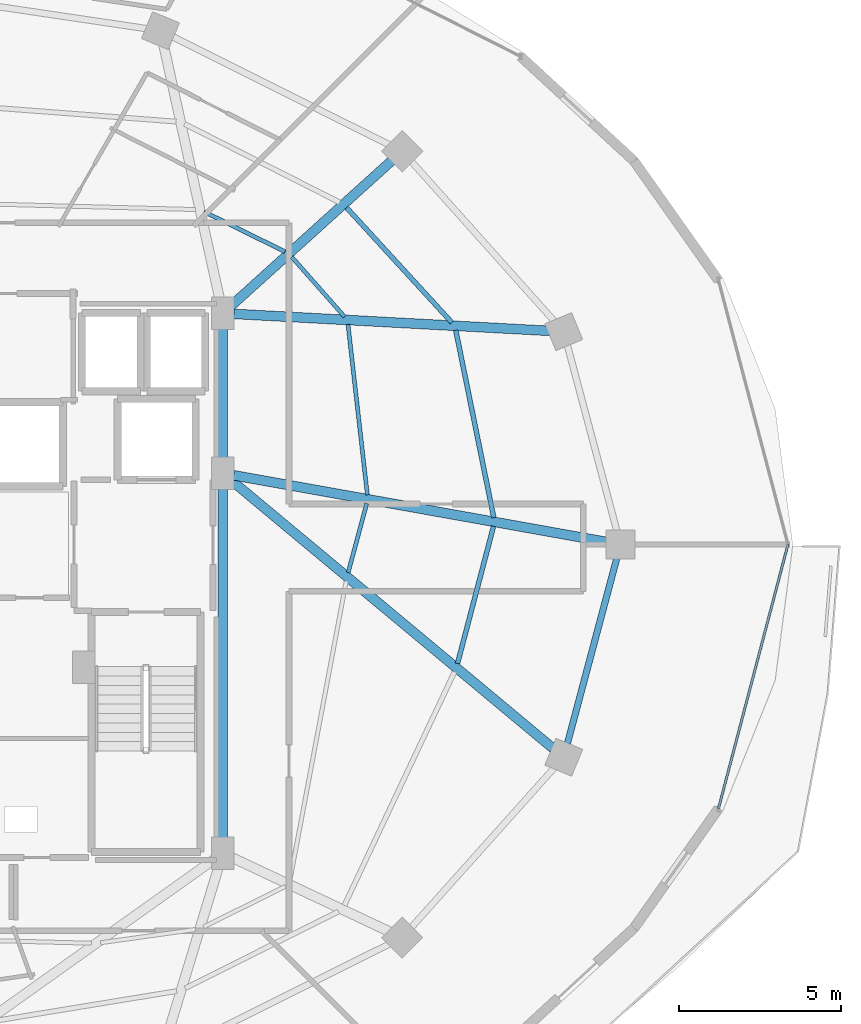
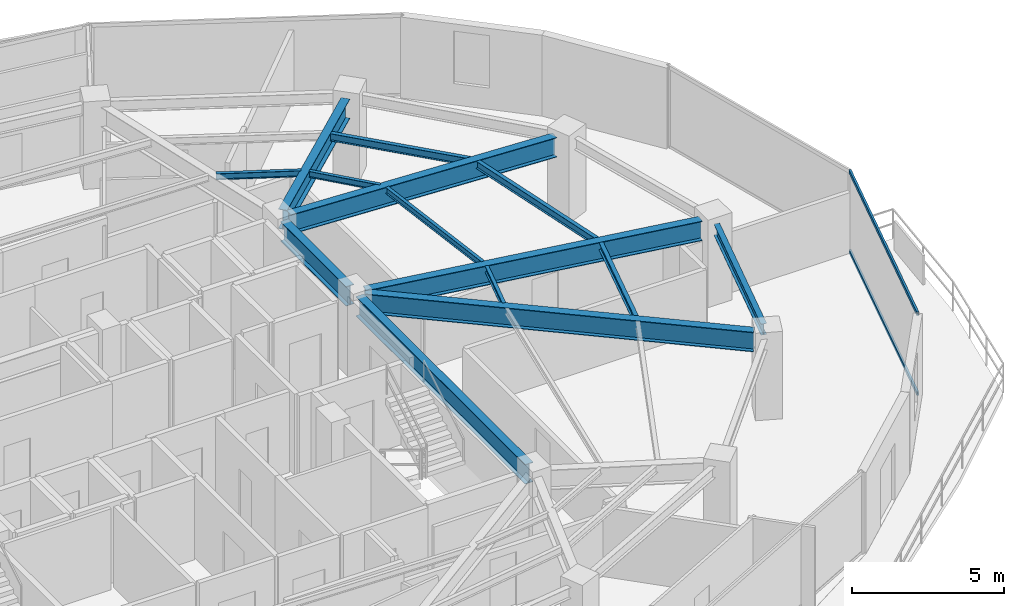
# One storey, part 14 of 33: 14 beams, 2 members, 1 element without a shape of its own.
"""IFC4 building model written with IfcOpenShell, lengths in metres."""

from ifc_helpers import new_model, si_unit, direction, frame, origin, origin_2d, place, context, subcontext, project, spatial, hollow_rectangle, i_section, extrude, material, material_profile, profile_set, type_object, element, aggregate, save


model = new_model("IFC4")

# Units and contexts
model_context = context("Model", 3, precision=1e-05, world=origin(), true_north=direction((0.0, 1.0)))
body_context = subcontext(model_context, "Body", "Model", "MODEL_VIEW")
ifc_project = project(units=[si_unit("LENGTHUNIT", "METRE"), si_unit("AREAUNIT", "SQUARE_METRE"), si_unit("VOLUMEUNIT", "CUBIC_METRE"), si_unit("PLANEANGLEUNIT", "RADIAN"), si_unit("MASSUNIT", "GRAM", prefix="KILO")], contexts=[model_context])

# Site, building, storey
site_placement = place(None, origin())
site = spatial("IfcSite", under=ifc_project, at=site_placement, CompositionType="ELEMENT")
building_placement = place(site_placement, origin())
building = spatial("IfcBuilding", under=site, at=building_placement, Name="Vorneva Point Tower", CompositionType="ELEMENT")
storey_placement = place(building_placement, frame((0.0, 0.0, 196.60009765625)))
storey = spatial("IfcBuildingStorey", under=building, at=storey_placement, Name="L53", CompositionType="ELEMENT", Elevation=196.60009765625)

# Beams
ifc_material_1 = material(Name="Steel S355", Category="steel")
ifc_material_profile_1 = material_profile(ifc_material_1, i_section(OverallWidth=0.300048828125, OverallDepth=0.7880859375, WebThickness=0.014404296875, FlangeThickness=0.02197265625, at=origin_2d()), Name="80Sh1")
ifc_profile_set_1 = profile_set([ifc_material_profile_1], Name="Steel S355")
beam_type_1 = type_object("IfcBeamType", Name="BM-GRD-80Sh1", PredefinedType="USERDEFINED", material=ifc_profile_set_1)
beam_1_placement = place(storey_placement, frame((60.618896484375, 26.0771484375, 2.845947265625), z_axis=(-0.984378602255, 0.176064668298, 0.0), x_axis=(-0.176064668298, -0.984378602255, 0.0)))
element("IfcBeam", 1, at=beam_1_placement, inside=storey, type_object=beam_type_1, Name="L53 Radial Primary Girder 01", ObjectType="GIRDER", PredefinedType="USERDEFINED", context=body_context, shape_type="SweptSolid", body=[
    extrude(i_section(OverallWidth=0.300048828125, OverallDepth=0.7880859375, WebThickness=0.014404296875, FlangeThickness=0.02197265625, at=origin_2d()), origin(), (0.0, 0.0, 1.0), 11.71728515625),
])
beam_2_placement = place(storey_placement, frame((58.85791015625, 32.605712890625, 2.845947265625), z_axis=(-0.998554028182, 0.053757351146, 0.0), x_axis=(-0.053757351146, -0.998554028182, 0.0)))
element("IfcBeam", 2, at=beam_2_placement, inside=storey, type_object=beam_type_1, Name="L53 Radial Primary Girder 02", ObjectType="GIRDER", PredefinedType="USERDEFINED", context=body_context, shape_type="SweptSolid", body=[
    extrude(i_section(OverallWidth=0.300048828125, OverallDepth=0.7880859375, WebThickness=0.014404296875, FlangeThickness=0.02197265625, at=origin_2d()), origin(), (0.0, 0.0, 1.0), 9.782470703125),
])
beam_3_placement = place(storey_placement, frame((53.973876953125, 37.86865234375, 2.845947265625), z_axis=(-0.742089778537, -0.670300500217, 0.0), x_axis=(0.670300500217, -0.742089778537, 0.0)))
element("IfcBeam", 3, at=beam_3_placement, inside=storey, type_object=beam_type_1, Name="L53 Radial Primary Girder 03", ObjectType="GIRDER", PredefinedType="USERDEFINED", context=body_context, shape_type="SweptSolid", body=[
    extrude(i_section(OverallWidth=0.300048828125, OverallDepth=0.7880859375, WebThickness=0.014404296875, FlangeThickness=0.02197265625, at=origin_2d()), origin(), (0.0, 0.0, 1.0), 6.699462890625),
])
beam_4_placement = place(storey_placement, frame((58.958740234375, 19.697998046875, 2.845947265625), z_axis=(-0.768417564517, 0.639948784311, 0.0), x_axis=(-0.639948784311, -0.768417564517, 0.0)))
element("IfcBeam", 4, at=beam_4_placement, inside=storey, type_object=beam_type_1, Name="L53 Radial Primary Girder 16", ObjectType="GIRDER", PredefinedType="USERDEFINED", context=body_context, shape_type="SweptSolid", body=[
    extrude(i_section(OverallWidth=0.300048828125, OverallDepth=0.7880859375, WebThickness=0.014404296875, FlangeThickness=0.02197265625, at=origin_2d()), origin(), (0.0, 0.0, 1.0), 12.945556640625),
])
beam_5_placement = place(storey_placement, frame((48.75, 16.77001953125, 2.845947265625), z_axis=(0.0, 1.0, 0.0), x_axis=(-1.0, 0.0, 0.0)))
element("IfcBeam", 5, at=beam_5_placement, inside=storey, type_object=beam_type_1, Name="L53 Core Tie Girder CT3", ObjectType="GIRDER", PredefinedType="USERDEFINED", context=body_context, shape_type="SweptSolid", body=[
    extrude(i_section(OverallWidth=0.300048828125, OverallDepth=0.7880859375, WebThickness=0.014404296875, FlangeThickness=0.02197265625, at=origin_2d()), origin(), (0.0, 0.0, 1.0), 11.10986328125),
])
beam_6_placement = place(storey_placement, frame((48.75, 28.52001953125, 2.845947265625), z_axis=(0.0, 1.0, 0.0), x_axis=(-1.0, 0.0, 0.0)))
element("IfcBeam", 6, at=beam_6_placement, inside=storey, type_object=beam_type_1, Name="L53 Core Tie Girder CT4", ObjectType="GIRDER", PredefinedType="USERDEFINED", context=body_context, shape_type="SweptSolid", body=[
    extrude(i_section(OverallWidth=0.300048828125, OverallDepth=0.7880859375, WebThickness=0.014404296875, FlangeThickness=0.02197265625, at=origin_2d()), origin(), (0.0, 0.0, 1.0), 4.31005859375),
])
ifc_material_profile_2 = material_profile(ifc_material_1, i_section(OverallWidth=0.1240234375, OverallDepth=0.248046875, WebThickness=0.0048828125, FlangeThickness=0.008056640625, at=origin_2d()), Name="25B1")
ifc_profile_set_2 = profile_set([ifc_material_profile_2], Name="Steel S355")
beam_type_2 = type_object("IfcBeamType", Name="BM-JST-25B1", PredefinedType="JOIST", material=ifc_profile_set_2)
beam_7_placement = place(storey_placement, frame((53.221435546875, 27.534423828125, 3.115966796875), z_axis=(-0.113032571733, 0.993591283037, 0.0), x_axis=(-0.993591283037, -0.113032571733, 0.0)))
element("IfcBeam", 7, at=beam_7_placement, inside=storey, type_object=beam_type_2, Name="L53 Secondary Floor Beam 2.01", PredefinedType="JOIST", context=body_context, shape_type="SweptSolid", body=[
    extrude(i_section(OverallWidth=0.1240234375, OverallDepth=0.248046875, WebThickness=0.0048828125, FlangeThickness=0.008056640625, at=origin_2d()), origin(), (0.0, 0.0, 1.0), 5.3046875),
])
beam_8_placement = place(storey_placement, frame((52.514892578125, 33.045654296875, 3.115966796875), z_axis=(-0.662362143704, 0.749183816288, 0.0), x_axis=(-0.749183816288, -0.662362143704, 0.0)))
element("IfcBeam", 8, at=beam_8_placement, inside=storey, type_object=beam_type_2, Name="L53 Secondary Floor Beam 2.02", PredefinedType="JOIST", context=body_context, shape_type="SweptSolid", body=[
    extrude(i_section(OverallWidth=0.1240234375, OverallDepth=0.248046875, WebThickness=0.0048828125, FlangeThickness=0.008056640625, at=origin_2d()), origin(), (0.0, 0.0, 1.0), 2.46337890625),
])
beam_9_placement = place(storey_placement, frame((50.66845703125, 35.055908203125, 3.115966796875), z_axis=(-0.896290822353, 0.443466753845, 0.0), x_axis=(-0.443466753845, -0.896290822353, 0.0)))
element("IfcBeam", 9, at=beam_9_placement, inside=storey, type_object=beam_type_2, Name="L53 Secondary Floor Beam 2.03", PredefinedType="JOIST", context=body_context, shape_type="SweptSolid", body=[
    extrude(i_section(OverallWidth=0.1240234375, OverallDepth=0.248046875, WebThickness=0.0048828125, FlangeThickness=0.008056640625, at=origin_2d()), origin(), (0.0, 0.0, 1.0), 2.791748046875),
])
beam_10_placement = place(storey_placement, frame((52.628173828125, 25.13330078125, 3.115966796875), z_axis=(0.259679836989, 0.965694766612, 0.0), x_axis=(-0.965694766612, 0.259679836989, 0.0)))
element("IfcBeam", 10, at=beam_10_placement, inside=storey, type_object=beam_type_2, Name="L53 Secondary Floor Beam 2.16", PredefinedType="JOIST", context=body_context, shape_type="SweptSolid", body=[
    extrude(i_section(OverallWidth=0.1240234375, OverallDepth=0.248046875, WebThickness=0.0048828125, FlangeThickness=0.008056640625, at=origin_2d()), origin(), (0.0, 0.0, 1.0), 2.20654296875),
])
ifc_material_profile_3 = material_profile(ifc_material_1, i_section(OverallWidth=0.14892578125, OverallDepth=0.298095703125, WebThickness=0.005615234375, FlangeThickness=0.008056640625, at=origin_2d()), Name="30B1")
ifc_profile_set_3 = profile_set([ifc_material_profile_3], Name="Steel S355")
beam_type_3 = type_object("IfcBeamType", Name="BM-JST-30B1", PredefinedType="JOIST", material=ifc_profile_set_3)
beam_11_placement = place(storey_placement, frame((57.131103515625, 26.831298828125, 3.0908203125), z_axis=(-0.198853680305, 0.980029190294, 0.0), x_axis=(-0.980029190294, -0.198853680305, 0.0)))
element("IfcBeam", 11, at=beam_11_placement, inside=storey, type_object=beam_type_3, Name="L53 Secondary Floor Beam 1.01", PredefinedType="JOIST", context=body_context, shape_type="SweptSolid", body=[
    extrude(i_section(OverallWidth=0.14892578125, OverallDepth=0.298095703125, WebThickness=0.005615234375, FlangeThickness=0.008056640625, at=origin_2d()), origin(), (0.0, 0.0, 1.0), 5.915283203125),
])
beam_12_placement = place(storey_placement, frame((55.834228515625, 32.865234375, 3.0908203125), z_axis=(-0.675759017991, 0.73712261504, 0.0), x_axis=(-0.73712261504, -0.675759017991, 0.0)))
element("IfcBeam", 12, at=beam_12_placement, inside=storey, type_object=beam_type_3, Name="L53 Secondary Floor Beam 1.02", PredefinedType="JOIST", context=body_context, shape_type="SweptSolid", body=[
    extrude(i_section(OverallWidth=0.14892578125, OverallDepth=0.298095703125, WebThickness=0.005615234375, FlangeThickness=0.008056640625, at=origin_2d()), origin(), (0.0, 0.0, 1.0), 4.822021484375),
])
beam_13_placement = place(storey_placement, frame((56.009521484375, 22.31689453125, 3.0908203125), z_axis=(0.253800559938, 0.967256571844, 0.0), x_axis=(-0.967256571844, 0.253800559938, 0.0)))
element("IfcBeam", 13, at=beam_13_placement, inside=storey, type_object=beam_type_3, Name="L53 Secondary Floor Beam 1.16", PredefinedType="JOIST", context=body_context, shape_type="SweptSolid", body=[
    extrude(i_section(OverallWidth=0.14892578125, OverallDepth=0.298095703125, WebThickness=0.005615234375, FlangeThickness=0.008056640625, at=origin_2d()), origin(), (0.0, 0.0, 1.0), 4.389404296875),
])
ifc_material_profile_4 = material_profile(ifc_material_1, i_section(OverallWidth=0.198974609375, OverallDepth=0.446044921875, WebThickness=0.008056640625, FlangeThickness=0.011962890625, at=origin_2d()), Name="45B1")
ifc_profile_set_4 = profile_set([ifc_material_profile_4], Name="Steel S355")
beam_type_4 = type_object("IfcBeamType", Name="BM-SPN-45B1", PredefinedType="SPANDREL", material=ifc_profile_set_4)
beam_14_placement = place(storey_placement, frame((59.407470703125, 19.838134765625, 3.016845703125), z_axis=(0.257578258003, 0.966257440336, 0.0), x_axis=(-0.966257440336, 0.257578258003, 0.0)))
element("IfcBeam", 14, at=beam_14_placement, inside=storey, type_object=beam_type_4, Name="L53 Perimeter Spandrel Ring Beam 16", PredefinedType="SPANDREL", context=body_context, shape_type="SweptSolid", body=[
    extrude(i_section(OverallWidth=0.198974609375, OverallDepth=0.446044921875, WebThickness=0.008056640625, FlangeThickness=0.011962890625, at=origin_2d()), origin(), (0.0, 0.0, 1.0), 5.94189453125),
])

# Curtain wall, members
ifc_material_2 = material(Name="Pale anodised aluminium", Category="aluminium")
curtain_wall_type = type_object("IfcCurtainWallType", Name="CW-RES-SYS", PredefinedType="NOTDEFINED", material=ifc_material_2)
curtain_wall_placement = place(storey_placement, origin())
curtain_wall = element("IfcCurtainWall", 15, at=curtain_wall_placement, inside=storey, type_object=curtain_wall_type, Name="L53 Unitised Curtain Wall CW-L53-R01", PredefinedType="NOTDEFINED")
ifc_material_profile_5 = material_profile(ifc_material_2, hollow_rectangle(XDim=0.074951171875, YDim=0.14990234375, WallThickness=0.00390625, at=origin_2d()), Name="AL-TRN 150x75x4")
ifc_profile_set_5 = profile_set([ifc_material_profile_5], Name="Pale anodised aluminium")
member_type = type_object("IfcMemberType", Name="CW-TRN-150", PredefinedType="USERDEFINED", material=ifc_profile_set_5)
member_1_placement = place(storey_placement, frame((64.0810546875, 17.82958984375, 0.02001953125), z_axis=(0.254362431281, 0.967108966742, 0.0), x_axis=(-0.967108966742, 0.254362431281, 0.0)))
member_1 = element("IfcMember", 16, at=member_1_placement, type_object=member_type, Name="CW-L53-R01 Transom 01.1", ObjectType="TRANSOM", PredefinedType="USERDEFINED", context=body_context, shape_type="SweptSolid", body=[
    extrude(hollow_rectangle(XDim=0.074951171875, YDim=0.14990234375, WallThickness=0.00390625, at=origin_2d()), origin(), (0.0, 0.0, 1.0), 8.4482421875),
])
member_2_placement = place(storey_placement, frame((64.0810546875, 17.82958984375, 3.219970703125), z_axis=(0.254362431281, 0.967108966742, 0.0), x_axis=(-0.967108966742, 0.254362431281, 0.0)))
member_2 = element("IfcMember", 17, at=member_2_placement, type_object=member_type, Name="CW-L53-R01 Transom 01.2", ObjectType="TRANSOM", PredefinedType="USERDEFINED", context=body_context, shape_type="SweptSolid", body=[
    extrude(hollow_rectangle(XDim=0.074951171875, YDim=0.14990234375, WallThickness=0.00390625, at=origin_2d()), origin(), (0.0, 0.0, 1.0), 8.4482421875),
])
aggregate(curtain_wall, [member_1, member_2])

save(model, "model.ifc")
